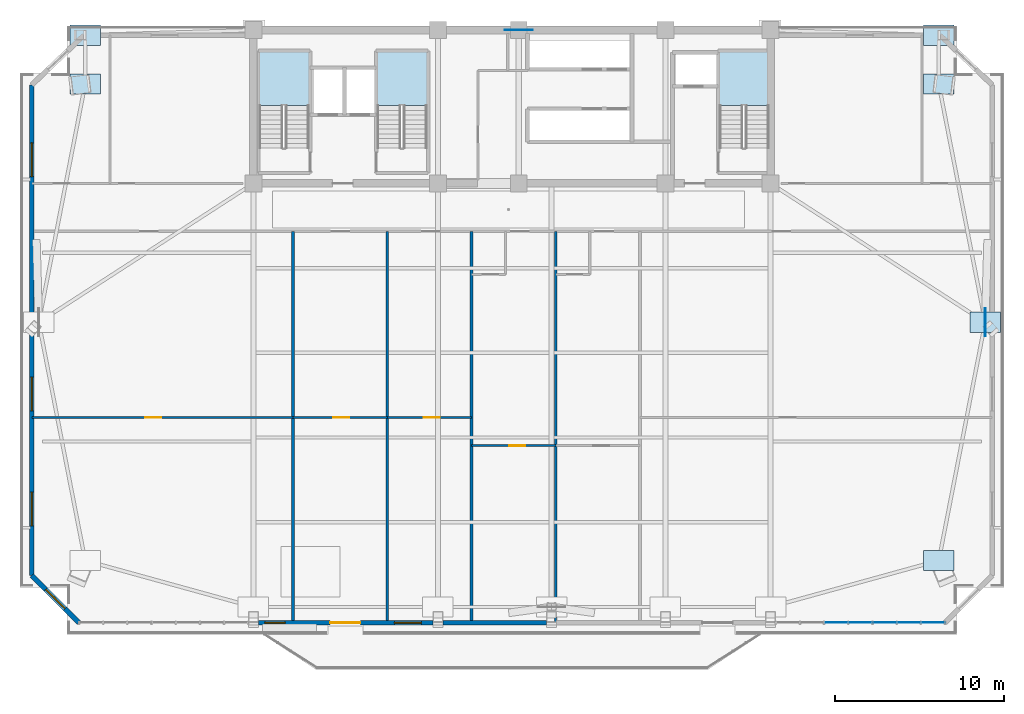
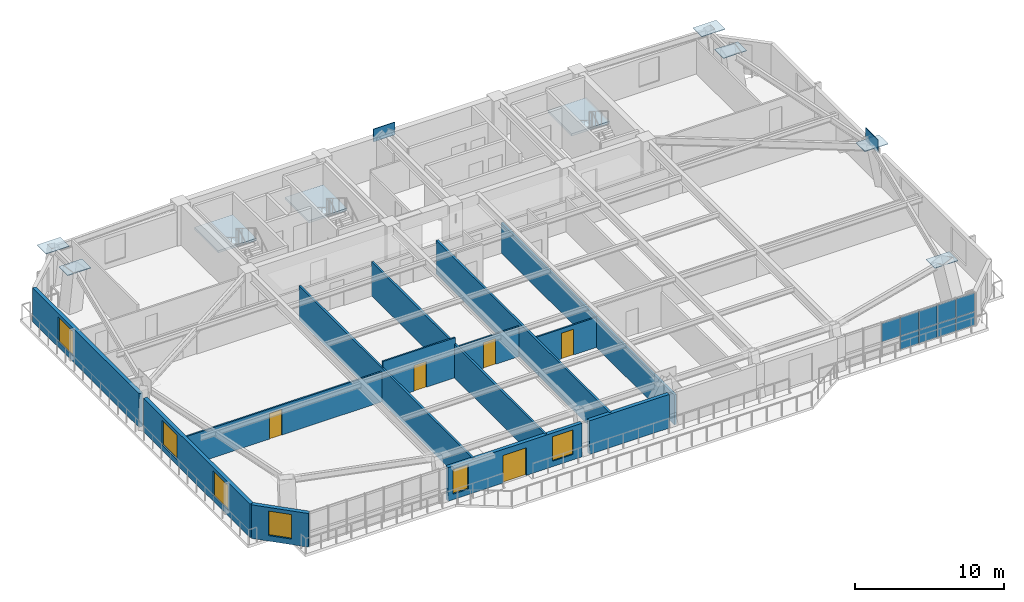
# One storey, part 7 of 16: 17 plates, 13 walls, 6 windows, 5 doors, 3 slabs, 11 openings, 4 elements without a shape of their own.
"""IFC4 building model written with IfcOpenShell, lengths in metres."""

from ifc_helpers import new_model, si_unit, direction, frame, frame_2d, origin, origin_2d, place, context, subcontext, project, spatial, polyline, rectangle, outline, extrude, source, transform, mapped, material, layer, layer_set, type_object, element, fill, aggregate, save


model = new_model("IFC4")

# Units and contexts
model_context = context("Model", 3, precision=1e-05, world=origin(), true_north=direction((0.0, 1.0)))
body_context = subcontext(model_context, "Body", "Model", "MODEL_VIEW")
ifc_project = project(units=[si_unit("LENGTHUNIT", "METRE"), si_unit("AREAUNIT", "SQUARE_METRE"), si_unit("VOLUMEUNIT", "CUBIC_METRE"), si_unit("PLANEANGLEUNIT", "RADIAN"), si_unit("MASSUNIT", "GRAM", prefix="KILO")], contexts=[model_context])

# Site, building, storey
site_placement = place(None, origin())
site = spatial("IfcSite", under=ifc_project, at=site_placement, CompositionType="ELEMENT")
building_placement = place(site_placement, origin())
building = spatial("IfcBuilding", under=site, at=building_placement, Name="Giltprow Tower", CompositionType="ELEMENT")
storey_placement = place(building_placement, frame((0.0, 0.0, 209.699951171875)))
storey = spatial("IfcBuildingStorey", under=building, at=storey_placement, Name="L53", CompositionType="ELEMENT", Elevation=209.699951171875)

# Stair, slab
ifc_material_1 = material(Name="Concrete C40", Category="concrete")
stair_type_1 = type_object("IfcStairType", Name="STR-ST-1", PredefinedType="HALF_TURN_STAIR", material=ifc_material_1)
stair_1_placement = place(storey_placement, origin())
stair_1 = element("IfcStair", 1, at=stair_1_placement, inside=storey, type_object=stair_type_1, Name="L53 Core Exit Stair ST-1", PredefinedType="HALF_TURN_STAIR")
ifc_layer_1 = layer(ifc_material_1, 0.179931640625, Name="Concrete C40")
ifc_layer_set_1 = layer_set([ifc_layer_1], Name="Concrete C40")
slab_type_1 = type_object("IfcSlabType", Name="SLD-ST-1", PredefinedType="LANDING", material=ifc_layer_set_1)
slab_1_placement = place(storey_placement, frame((0.0, 0.0, 1.570068359375)))
slab_1 = element("IfcSlab", 2, at=slab_1_placement, type_object=slab_type_1, Name="ST-1 landing 1", PredefinedType="LANDING", context=body_context, shape_type="SweptSolid", body=[
    extrude(outline(polyline([(23.159912109375, 42.070068359375), (23.159912109375, 45.25), (20.199951171875, 45.25), (20.199951171875, 42.070068359375), (23.159912109375, 42.070068359375)])), origin(), (0.0, 0.0, 1.0), 0.179931640625),
])
aggregate(stair_1, [slab_1])

stair_type_2 = type_object("IfcStairType", Name="STR-ST-2", PredefinedType="HALF_TURN_STAIR", material=ifc_material_1)
stair_2_placement = place(storey_placement, origin())
stair_2 = element("IfcStair", 3, at=stair_2_placement, inside=storey, type_object=stair_type_2, Name="L53 Core Exit Stair ST-2", PredefinedType="HALF_TURN_STAIR")
ifc_layer_2 = layer(ifc_material_1, 0.18798828125, Name="Concrete C40")
ifc_layer_set_2 = layer_set([ifc_layer_2], Name="Concrete C40")
slab_type_2 = type_object("IfcSlabType", Name="SLD-ST-2", PredefinedType="LANDING", material=ifc_layer_set_2)
slab_2_placement = place(storey_placement, frame((0.0, 0.0, 1.56201171875)))
slab_2 = element("IfcSlab", 4, at=slab_2_placement, type_object=slab_type_2, Name="ST-2 landing 1", PredefinedType="LANDING", context=body_context, shape_type="SweptSolid", body=[
    extrude(outline(polyline([(30.159912109375, 42.070068359375), (30.159912109375, 45.25), (27.199951171875, 45.25), (27.199951171875, 42.070068359375), (30.159912109375, 42.070068359375)])), origin(), (0.0, 0.0, 1.0), 0.18798828125),
])
aggregate(stair_2, [slab_2])

stair_type_3 = type_object("IfcStairType", Name="STR-ST-3", PredefinedType="HALF_TURN_STAIR", material=ifc_material_1)
stair_3_placement = place(storey_placement, origin())
stair_3 = element("IfcStair", 5, at=stair_3_placement, inside=storey, type_object=stair_type_3, Name="L53 Core Exit Stair ST-3", PredefinedType="HALF_TURN_STAIR")
ifc_layer_3 = layer(ifc_material_1, 0.196044921875, Name="Concrete C40")
ifc_layer_set_3 = layer_set([ifc_layer_3], Name="Concrete C40")
slab_type_3 = type_object("IfcSlabType", Name="SLD-ST-3", PredefinedType="LANDING", material=ifc_layer_set_3)
slab_3_placement = place(storey_placement, frame((0.0, 0.0, 1.553955078125)))
slab_3 = element("IfcSlab", 6, at=slab_3_placement, type_object=slab_type_3, Name="ST-3 landing 1", PredefinedType="LANDING", context=body_context, shape_type="SweptSolid", body=[
    extrude(outline(polyline([(50.4599609375, 42.070068359375), (50.4599609375, 45.25), (47.5, 45.25), (47.5, 42.070068359375), (50.4599609375, 42.070068359375)])), origin(), (0.0, 0.0, 1.0), 0.196044921875),
])
aggregate(stair_3, [slab_3])

# Plates
ifc_material_2 = material(Name="Structural steel Q420GJC", Category="steel")
plate_type_1 = type_object("IfcPlateType", Name="PLT-NODE-CKN1", PredefinedType="USERDEFINED", material=ifc_material_2)
shared_shape_1 = source(origin(), body_context, "Body", "SweptSolid", [
    extrude(rectangle(XDim=1.800048828125, YDim=1.199951171875, at=origin_2d()), origin(), (0.0, 0.0, 1.0), 0.044921875),
])
for number, where, z_axis, x_axis, name in (
    (7, (60.528076171875, 15.072021484375, 3.2275390625), (0.0, 0.0, 1.0), (1.0, 0.0, 0.0), "CKN1 Column Taper Splice Node L53-MC_SE"),
    (8, (9.8720703125, 43.345947265625, 3.2275390625), (0.0, 0.0, 1.0), (1.0, 0.0, 0.0), "CKN1 Column Taper Splice Node L53-MC_NW"),
    (9, (60.528076171875, 43.345947265625, 3.2275390625), (0.0, 0.0, 1.0), (1.0, 0.0, 0.0), "CKN1 Column Taper Splice Node L53-MC_NE"),
    (10, (63.281982421875, 29.208984375, 3.2275390625), (0.0, 0.0, 1.0), (1.0, 0.0, 0.0), "CKN1 Column Taper Splice Node L53-E_MID"),
    (11, (9.8720703125, 46.25, 3.2275390625), (0.0, 0.0, 1.0), (1.0, 0.0, 0.0), "CKN1 Column Taper Splice Node L53-N_W"),
    (12, (60.528076171875, 46.25, 3.2275390625), (0.0, 0.0, 1.0), (1.0, 0.0, 0.0), "CKN1 Column Taper Splice Node L53-N_E"),
):
    element("IfcPlate", number, at=place(storey_placement, frame(where, z_axis=z_axis, x_axis=x_axis)), inside=storey, type_object=plate_type_1, Name=name, ObjectType="SPLICE", PredefinedType="USERDEFINED", context=body_context, shape_type="MappedRepresentation", body=[
        mapped(shared_shape_1, transform((0.0, 0.0, 0.0), x_axis=(1.0, 0.0, 0.0), y_axis=(0.0, 1.0, 0.0), z_axis=(0.0, 0.0, 1.0), scale=1.0)),
    ])
plate_type_2 = type_object("IfcPlateType", Name="PLT-NODE-MBN2", PredefinedType="USERDEFINED", material=ifc_material_2)
shared_shape_2 = source(origin(), body_context, "Body", "SweptSolid", [
    extrude(rectangle(XDim=1.64990234375, YDim=0.044921875, at=origin_2d()), origin(), (0.0, 0.0, 1.0), 1.050048828125),
])
for number, where, z_axis, x_axis, name in (
    (13, (35.60009765625, 46.550048828125, 2.8349609375), (0.0, 0.0, 1.0), (1.0, 0.0, 0.0), "Mega-Brace Node L53-N-LB"),
    (14, (63.281982421875, 29.208984375, 2.97509765625), (0.0, 0.0, 1.0), (0.0, 1.0, 0.0), "Mega-Brace Node L53-E-RB"),
):
    element("IfcPlate", number, at=place(storey_placement, frame(where, z_axis=z_axis, x_axis=x_axis)), inside=storey, type_object=plate_type_2, Name=name, ObjectType="GUSSET", PredefinedType="USERDEFINED", context=body_context, shape_type="MappedRepresentation", body=[
        mapped(shared_shape_2, transform((0.0, 0.0, 0.0), x_axis=(1.0, 0.0, 0.0), y_axis=(0.0, 1.0, 0.0), z_axis=(0.0, 0.0, 1.0), scale=1.0)),
    ])

# Curtain wall, plates
ifc_material_3 = material(Name="Anodized bronze", Category="metal")
ifc_layer_4 = layer(ifc_material_3, 0.179931640625, Name="Anodized bronze")
ifc_layer_set_4 = layer_set([ifc_layer_4], Name="Anodized bronze")
curtain_wall_type = type_object("IfcCurtainWallType", Name="CW-HTL-BRONZE", PredefinedType="NOTDEFINED", material=ifc_layer_set_4)
curtain_wall_placement = place(storey_placement, origin())
curtain_wall = element("IfcCurtainWall", 15, at=curtain_wall_placement, inside=storey, type_object=curtain_wall_type, Name="L53 South Recessed Curtain Wall 6", PredefinedType="NOTDEFINED")
ifc_material_4 = material(Name="Insulated glass", Category="glass")
plate_type_3 = type_object("IfcPlateType", Name="CW-PANEL-IGU-28", PredefinedType="CURTAIN_PANEL", material=ifc_material_4)
shared_shape_3 = source(origin(), body_context, "Body", "SweptSolid", [
    extrude(rectangle(XDim=1.405029296875, YDim=0.028076171875, at=origin_2d()), origin(), (0.0, 0.0, 1.0), 1.0869140625),
])
plate_1_placement = place(storey_placement, frame((55.8740234375, 11.385986328125, 0.0546875), z_axis=(0.0, 0.0, 1.0), x_axis=(1.0, 0.0, 0.0)))
plate_1 = element("IfcPlate", 16, at=plate_1_placement, type_object=plate_type_3, Name="L53 South Recessed Curtain Wall 6 Glazing Panel 4-1", PredefinedType="CURTAIN_PANEL", context=body_context, shape_type="MappedRepresentation", body=[
    mapped(shared_shape_3, transform((0.0, 0.0, 0.0), x_axis=(1.0, 0.0, 0.0), y_axis=(0.0, 1.0, 0.0), z_axis=(0.0, 0.0, 1.0), scale=1.0)),
])
plate_2_placement = place(storey_placement, frame((57.30908203125, 11.385986328125, 0.0546875), z_axis=(0.0, 0.0, 1.0), x_axis=(1.0, 0.0, 0.0)))
plate_2 = element("IfcPlate", 17, at=plate_2_placement, type_object=plate_type_3, Name="L53 South Recessed Curtain Wall 6 Glazing Panel 5-1", PredefinedType="CURTAIN_PANEL", context=body_context, shape_type="MappedRepresentation", body=[
    mapped(shared_shape_3, transform((0.0, 0.0, 0.0), x_axis=(1.0, 0.0, 0.0), y_axis=(0.0, 1.0, 0.0), z_axis=(0.0, 0.0, 1.0), scale=1.0)),
])
plate_3_placement = place(storey_placement, frame((58.7451171875, 11.385986328125, 0.0546875), z_axis=(0.0, 0.0, 1.0), x_axis=(1.0, 0.0, 0.0)))
plate_3 = element("IfcPlate", 18, at=plate_3_placement, type_object=plate_type_3, Name="L53 South Recessed Curtain Wall 6 Glazing Panel 6-1", PredefinedType="CURTAIN_PANEL", context=body_context, shape_type="MappedRepresentation", body=[
    mapped(shared_shape_3, transform((0.0, 0.0, 0.0), x_axis=(1.0, 0.0, 0.0), y_axis=(0.0, 1.0, 0.0), z_axis=(0.0, 0.0, 1.0), scale=1.0)),
])
plate_4_placement = place(storey_placement, frame((60.179931640625, 11.385986328125, 0.0546875), z_axis=(0.0, 0.0, 1.0), x_axis=(1.0, 0.0, 0.0)))
plate_4 = element("IfcPlate", 19, at=plate_4_placement, type_object=plate_type_3, Name="L53 South Recessed Curtain Wall 6 Glazing Panel 7-1", PredefinedType="CURTAIN_PANEL", context=body_context, shape_type="MappedRepresentation", body=[
    mapped(shared_shape_3, transform((0.0, 0.0, 0.0), x_axis=(1.0, 0.0, 0.0), y_axis=(0.0, 1.0, 0.0), z_axis=(0.0, 0.0, 1.0), scale=1.0)),
])
shared_shape_4 = source(origin(), body_context, "Body", "SweptSolid", [
    extrude(rectangle(XDim=1.405029296875, YDim=0.028076171875, at=origin_2d()), origin(), (0.0, 0.0, 1.0), 1.527099609375),
])
plate_5_placement = place(storey_placement, frame((54.43896484375, 11.385986328125, 1.16845703125), z_axis=(0.0, 0.0, 1.0), x_axis=(1.0, 0.0, 0.0)))
plate_5 = element("IfcPlate", 20, at=plate_5_placement, type_object=plate_type_3, Name="L53 South Recessed Curtain Wall 6 Glazing Panel 3-2", PredefinedType="CURTAIN_PANEL", context=body_context, shape_type="MappedRepresentation", body=[
    mapped(shared_shape_4, transform((0.0, 0.0, 0.0), x_axis=(1.0, 0.0, 0.0), y_axis=(0.0, 1.0, 0.0), z_axis=(0.0, 0.0, 1.0), scale=1.0)),
])
plate_6_placement = place(storey_placement, frame((55.8740234375, 11.385986328125, 1.16845703125), z_axis=(0.0, 0.0, 1.0), x_axis=(1.0, 0.0, 0.0)))
plate_6 = element("IfcPlate", 21, at=plate_6_placement, type_object=plate_type_3, Name="L53 South Recessed Curtain Wall 6 Glazing Panel 4-2", PredefinedType="CURTAIN_PANEL", context=body_context, shape_type="MappedRepresentation", body=[
    mapped(shared_shape_4, transform((0.0, 0.0, 0.0), x_axis=(1.0, 0.0, 0.0), y_axis=(0.0, 1.0, 0.0), z_axis=(0.0, 0.0, 1.0), scale=1.0)),
])
plate_7_placement = place(storey_placement, frame((57.30908203125, 11.385986328125, 1.16845703125), z_axis=(0.0, 0.0, 1.0), x_axis=(1.0, 0.0, 0.0)))
plate_7 = element("IfcPlate", 22, at=plate_7_placement, type_object=plate_type_3, Name="L53 South Recessed Curtain Wall 6 Glazing Panel 5-2", PredefinedType="CURTAIN_PANEL", context=body_context, shape_type="MappedRepresentation", body=[
    mapped(shared_shape_4, transform((0.0, 0.0, 0.0), x_axis=(1.0, 0.0, 0.0), y_axis=(0.0, 1.0, 0.0), z_axis=(0.0, 0.0, 1.0), scale=1.0)),
])
plate_8_placement = place(storey_placement, frame((58.7451171875, 11.385986328125, 1.16845703125), z_axis=(0.0, 0.0, 1.0), x_axis=(1.0, 0.0, 0.0)))
plate_8 = element("IfcPlate", 23, at=plate_8_placement, type_object=plate_type_3, Name="L53 South Recessed Curtain Wall 6 Glazing Panel 6-2", PredefinedType="CURTAIN_PANEL", context=body_context, shape_type="MappedRepresentation", body=[
    mapped(shared_shape_4, transform((0.0, 0.0, 0.0), x_axis=(1.0, 0.0, 0.0), y_axis=(0.0, 1.0, 0.0), z_axis=(0.0, 0.0, 1.0), scale=1.0)),
])
plate_9_placement = place(storey_placement, frame((60.179931640625, 11.385986328125, 1.16845703125), z_axis=(0.0, 0.0, 1.0), x_axis=(1.0, 0.0, 0.0)))
plate_9 = element("IfcPlate", 24, at=plate_9_placement, type_object=plate_type_3, Name="L53 South Recessed Curtain Wall 6 Glazing Panel 7-2", PredefinedType="CURTAIN_PANEL", context=body_context, shape_type="MappedRepresentation", body=[
    mapped(shared_shape_4, transform((0.0, 0.0, 0.0), x_axis=(1.0, 0.0, 0.0), y_axis=(0.0, 1.0, 0.0), z_axis=(0.0, 0.0, 1.0), scale=1.0)),
])
aggregate(curtain_wall, [plate_5, plate_1, plate_6, plate_2, plate_7, plate_3, plate_8, plate_4, plate_9])

# Wall, opening, window
ifc_material_5 = material(Name="Precast concrete C40", Category="concrete")
ifc_layer_5 = layer(ifc_material_5, 0.300048828125, Name="Precast concrete C40")
ifc_layer_set_5 = layer_set([ifc_layer_5], Name="Precast concrete C40")
wall_type_1 = type_object("IfcWallType", Name="EW-NOTCH-CHAMFER-300", PredefinedType="SOLIDWALL", material=ifc_layer_set_5)
wall_1_placement = place(storey_placement, frame((6.702880859375, 14.18603515625, 0.0), z_axis=(0.0, 0.0, 1.0), x_axis=(0.707106781187, -0.707106781187, 0.0)))
wall_1 = element("IfcWall", 25, at=wall_1_placement, inside=storey, type_object=wall_type_1, Name="L53 Corner Notch Wall SW", PredefinedType="SOLIDWALL", context=body_context, shape_type="SweptSolid", body=[
    extrude(rectangle(XDim=3.9599609375, YDim=0.300048828125, at=frame_2d((1.97998046875, 0.0))), origin(), (0.0, 0.0, 1.0), 2.75),
])
opening_1_placement = place(wall_1_placement, frame((1.179931640625, 0.0, 0.449951171875)))
opening_1 = element("IfcOpeningElement", 26, at=opening_1_placement, cuts=wall_1, Name="Opening WN17", PredefinedType="OPENING", context=body_context, shape_type="SweptSolid", body=[
    extrude(rectangle(XDim=1.60009765625, YDim=2.0, at=frame_2d((0.800048828125, 1.0))), frame((0.0, 0.159912109375, 0.0), z_axis=(0.0, -1.0, 0.0), x_axis=(1.0, 0.0, 0.0)), (0.0, 0.0, 1.0), 0.320068359375),
])
window_type_1 = type_object("IfcWindowType", Name="WN-COR-1600x2000", PartitioningType="SINGLE_PANEL", PredefinedType="WINDOW", material=ifc_material_4)
shared_shape_5 = source(origin(), body_context, "Body", "SweptSolid", [
    extrude(rectangle(XDim=1.60009765625, YDim=2.0, at=frame_2d((0.800048828125, 1.0))), frame((0.0, 0.030029296875, 0.0), z_axis=(0.0, -1.0, 0.0), x_axis=(1.0, 0.0, 0.0)), (0.0, 0.0, 1.0), 0.06005859375),
])
window_1_placement = place(opening_1_placement, origin())
window_1 = element("IfcWindow", 27, at=window_1_placement, inside=storey, type_object=window_type_1, Name="L53 Corner Notch Window SW", OverallHeight=2.0, OverallWidth=1.60009765625, PartitioningType="SINGLE_PANEL", PredefinedType="WINDOW", context=body_context, shape_type="MappedRepresentation", body=[
    mapped(shared_shape_5, transform((0.0, 0.0, 0.0), x_axis=(1.0, 0.0, 0.0), y_axis=(0.0, 1.0, 0.0), z_axis=(0.0, 0.0, 1.0), scale=1.0)),
])
fill(opening_1, window_1)

# Wall, openings, windows, door
ifc_layer_6 = layer(ifc_material_5, 0.280029296875, Name="Precast concrete C40")
ifc_layer_set_6 = layer_set([ifc_layer_6], Name="Precast concrete C40")
wall_type_2 = type_object("IfcWallType", Name="EW-TOW-BRONZE-280", PredefinedType="SOLIDWALL", material=ifc_layer_set_6)
wall_2_placement = place(storey_placement, frame((20.14990234375, 11.385986328125, 0.0), z_axis=(0.0, 0.0, 1.0), x_axis=(1.0, 0.0, 0.0)))
wall_2 = element("IfcWall", 28, at=wall_2_placement, inside=storey, type_object=wall_type_2, Name="L53 South Expressed Frame Wall 2", PredefinedType="SOLIDWALL", context=body_context, shape_type="SweptSolid", body=[
    extrude(rectangle(XDim=10.35009765625, YDim=0.280029296875, at=frame_2d((5.175048828125, 0.0))), origin(), (0.0, 0.0, 1.0), 2.75),
])
opening_2_placement = place(wall_2_placement, frame((4.25, 0.0, 0.0)))
opening_2 = element("IfcOpeningElement", 29, at=opening_2_placement, cuts=wall_2, Name="Opening ED25", PredefinedType="OPENING", context=body_context, shape_type="SweptSolid", body=[
    extrude(rectangle(XDim=1.800048828125, YDim=2.25, at=frame_2d((0.89990234375, 1.125))), frame((0.0, 0.14990234375, 0.0), z_axis=(0.0, -1.0, 0.0), x_axis=(1.0, 0.0, 0.0)), (0.0, 0.0, 1.0), 0.300048828125),
])
opening_3_placement = place(wall_2_placement, frame((0.3798828125, 0.0, 0.449951171875)))
opening_3 = element("IfcOpeningElement", 30, at=opening_3_placement, cuts=wall_2, Name="Opening WN11", PredefinedType="OPENING", context=body_context, shape_type="SweptSolid", body=[
    extrude(rectangle(XDim=1.199951171875, YDim=2.0, at=frame_2d((0.60009765625, 1.0))), frame((0.0, 0.14990234375, 0.0), z_axis=(0.0, -1.0, 0.0), x_axis=(1.0, 0.0, 0.0)), (0.0, 0.0, 1.0), 0.300048828125),
])
opening_4_placement = place(wall_2_placement, frame((8.070068359375, 0.0, 0.449951171875)))
opening_4 = element("IfcOpeningElement", 31, at=opening_4_placement, cuts=wall_2, Name="Opening WN17", PredefinedType="OPENING", context=body_context, shape_type="SweptSolid", body=[
    extrude(rectangle(XDim=1.60009765625, YDim=2.0, at=frame_2d((0.800048828125, 1.0))), frame((0.0, 0.14990234375, 0.0), z_axis=(0.0, -1.0, 0.0), x_axis=(1.0, 0.0, 0.0)), (0.0, 0.0, 1.0), 0.300048828125),
])
window_2_placement = place(opening_4_placement, origin())
window_2 = element("IfcWindow", 32, at=window_2_placement, inside=storey, type_object=window_type_1, Name="L53 South Window 2B", OverallHeight=2.0, OverallWidth=1.60009765625, PartitioningType="SINGLE_PANEL", PredefinedType="WINDOW", context=body_context, shape_type="MappedRepresentation", body=[
    mapped(shared_shape_5, transform((0.0, 0.0, 0.0), x_axis=(1.0, 0.0, 0.0), y_axis=(0.0, 1.0, 0.0), z_axis=(0.0, 0.0, 1.0), scale=1.0)),
])
fill(opening_4, window_2)
ifc_material_6 = material(Name="Anodized bronze and glass", Category="glass")
door_type_1 = type_object("IfcDoorType", Name="DR-BALC-SLIDE-1800", OperationType="SLIDING_TO_LEFT", PredefinedType="DOOR", material=ifc_material_6)
shared_shape_6 = source(origin(), body_context, "Body", "SweptSolid", [
    extrude(rectangle(XDim=1.800048828125, YDim=2.25, at=frame_2d((0.89990234375, 1.125))), frame((0.0, 0.02490234375, 0.0), z_axis=(0.0, -1.0, 0.0), x_axis=(1.0, 0.0, 0.0)), (0.0, 0.0, 1.0), 0.050048828125),
])
door_1_placement = place(opening_2_placement, origin())
door_1 = element("IfcDoor", 33, at=door_1_placement, inside=storey, type_object=door_type_1, Name="L53 Waterfront Balcony Sliding Door 1", OperationType="SLIDING_TO_LEFT", OverallHeight=2.25, OverallWidth=1.800048828125, PredefinedType="DOOR", context=body_context, shape_type="MappedRepresentation", body=[
    mapped(shared_shape_6, transform((0.0, 0.0, 0.0), x_axis=(1.0, 0.0, 0.0), y_axis=(0.0, 1.0, 0.0), z_axis=(0.0, 0.0, 1.0), scale=1.0)),
])
fill(opening_2, door_1)
window_type_2 = type_object("IfcWindowType", Name="WN-LANCET-1200x2000", PartitioningType="SINGLE_PANEL", PredefinedType="WINDOW", material=ifc_material_4)
shared_shape_7 = source(origin(), body_context, "Body", "SweptSolid", [
    extrude(rectangle(XDim=1.199951171875, YDim=2.0, at=frame_2d((0.60009765625, 1.0))), frame((0.0, 0.030029296875, 0.0), z_axis=(0.0, -1.0, 0.0), x_axis=(1.0, 0.0, 0.0)), (0.0, 0.0, 1.0), 0.06005859375),
])
window_3_placement = place(opening_3_placement, origin())
window_3 = element("IfcWindow", 34, at=window_3_placement, inside=storey, type_object=window_type_2, Name="L53 South Window 2A", OverallHeight=2.0, OverallWidth=1.199951171875, PartitioningType="SINGLE_PANEL", PredefinedType="WINDOW", context=body_context, shape_type="MappedRepresentation", body=[
    mapped(shared_shape_7, transform((0.0, 0.0, 0.0), x_axis=(1.0, 0.0, 0.0), y_axis=(0.0, 1.0, 0.0), z_axis=(0.0, 0.0, 1.0), scale=1.0)),
])
fill(opening_3, window_3)

# Wall
wall_3_placement = place(storey_placement, frame((31.10009765625, 11.385986328125, 0.0), z_axis=(0.0, 0.0, 1.0), x_axis=(1.0, 0.0, 0.0)))
element("IfcWall", 35, at=wall_3_placement, inside=storey, type_object=wall_type_2, Name="L53 South Expressed Frame Wall 3", PredefinedType="SOLIDWALL", context=body_context, shape_type="SweptSolid", body=[
    extrude(rectangle(XDim=6.14990234375, YDim=0.280029296875, at=frame_2d((3.074951171875, 0.0))), origin(), (0.0, 0.0, 1.0), 2.75),
])

# Wall, openings, windows
wall_4_placement = place(storey_placement, frame((6.702880859375, 14.18603515625, 0.0), z_axis=(0.0, 0.0, 1.0), x_axis=(0.0, 1.0, 0.0)))
wall_4 = element("IfcWall", 36, at=wall_4_placement, inside=storey, type_object=wall_type_2, Name="L53 W Wing Masonry Wall 1", PredefinedType="SOLIDWALL", context=body_context, shape_type="SweptSolid", body=[
    extrude(rectangle(XDim=14.257080078125, YDim=0.280029296875, at=frame_2d((7.12841796875, 0.0))), origin(), (0.0, 0.0, 1.0), 2.75),
])
opening_5_placement = place(wall_4_placement, frame((2.947021484375, 0.0, 0.449951171875)))
opening_5 = element("IfcOpeningElement", 37, at=opening_5_placement, cuts=wall_4, Name="Opening WN21", PredefinedType="OPENING", context=body_context, shape_type="SweptSolid", body=[
    extrude(rectangle(XDim=2.0, YDim=2.0, at=frame_2d((1.0, 1.0))), frame((0.0, 0.14990234375, 0.0), z_axis=(0.0, -1.0, 0.0), x_axis=(1.0, 0.0, 0.0)), (0.0, 0.0, 1.0), 0.300048828125),
])
opening_6_placement = place(wall_4_placement, frame((9.77294921875, 0.0, 0.449951171875)))
opening_6 = element("IfcOpeningElement", 38, at=opening_6_placement, cuts=wall_4, Name="Opening WN21", PredefinedType="OPENING", context=body_context, shape_type="SweptSolid", body=[
    extrude(rectangle(XDim=2.0, YDim=2.0, at=frame_2d((1.0, 1.0))), frame((0.0, 0.14990234375, 0.0), z_axis=(0.0, -1.0, 0.0), x_axis=(1.0, 0.0, 0.0)), (0.0, 0.0, 1.0), 0.300048828125),
])
window_type_3 = type_object("IfcWindowType", Name="WN-HTL-2000x2000", PartitioningType="DOUBLE_PANEL_VERTICAL", PredefinedType="WINDOW", material=ifc_material_4)
shared_shape_8 = source(origin(), body_context, "Body", "SweptSolid", [
    extrude(rectangle(XDim=2.0, YDim=2.0, at=frame_2d((1.0, 1.0))), frame((0.0, 0.030029296875, 0.0), z_axis=(0.0, -1.0, 0.0), x_axis=(1.0, 0.0, 0.0)), (0.0, 0.0, 1.0), 0.06005859375),
])
window_4_placement = place(opening_5_placement, origin())
window_4 = element("IfcWindow", 39, at=window_4_placement, inside=storey, type_object=window_type_3, Name="L53 W Wing Window 1-1A", OverallHeight=2.0, OverallWidth=2.0, PartitioningType="SINGLE_PANEL", PredefinedType="WINDOW", context=body_context, shape_type="MappedRepresentation", body=[
    mapped(shared_shape_8, transform((0.0, 0.0, 0.0), x_axis=(1.0, 0.0, 0.0), y_axis=(0.0, 1.0, 0.0), z_axis=(0.0, 0.0, 1.0), scale=1.0)),
])
fill(opening_5, window_4)
window_5_placement = place(opening_6_placement, origin())
window_5 = element("IfcWindow", 40, at=window_5_placement, inside=storey, type_object=window_type_3, Name="L53 W Wing Window 1-1B", OverallHeight=2.0, OverallWidth=2.0, PartitioningType="SINGLE_PANEL", PredefinedType="WINDOW", context=body_context, shape_type="MappedRepresentation", body=[
    mapped(shared_shape_8, transform((0.0, 0.0, 0.0), x_axis=(1.0, 0.0, 0.0), y_axis=(0.0, 1.0, 0.0), z_axis=(0.0, 0.0, 1.0), scale=1.0)),
])
fill(opening_6, window_5)

# Wall, opening, window
wall_5_placement = place(storey_placement, frame((6.702880859375, 29.04296875, 0.0), z_axis=(0.0, 0.0, 1.0), x_axis=(0.0, 1.0, 0.0)))
wall_5 = element("IfcWall", 41, at=wall_5_placement, inside=storey, type_object=wall_type_2, Name="L53 W Wing Masonry Wall 2", PredefinedType="SOLIDWALL", context=body_context, shape_type="SweptSolid", body=[
    extrude(rectangle(XDim=14.257080078125, YDim=0.280029296875, at=frame_2d((7.12841796875, 0.0))), origin(), (0.0, 0.0, 1.0), 2.75),
])
opening_7_placement = place(wall_5_placement, frame((8.81201171875, 0.0, 0.449951171875)))
opening_7 = element("IfcOpeningElement", 42, at=opening_7_placement, cuts=wall_5, Name="Opening WN21", PredefinedType="OPENING", context=body_context, shape_type="SweptSolid", body=[
    extrude(rectangle(XDim=2.0, YDim=2.0, at=frame_2d((1.0, 1.0))), frame((0.0, 0.14990234375, 0.0), z_axis=(0.0, -1.0, 0.0), x_axis=(1.0, 0.0, 0.0)), (0.0, 0.0, 1.0), 0.300048828125),
])
window_6_placement = place(opening_7_placement, origin())
window_6 = element("IfcWindow", 43, at=window_6_placement, inside=storey, type_object=window_type_3, Name="L53 W Wing Window 2-1", OverallHeight=2.0, OverallWidth=2.0, PartitioningType="SINGLE_PANEL", PredefinedType="WINDOW", context=body_context, shape_type="MappedRepresentation", body=[
    mapped(shared_shape_8, transform((0.0, 0.0, 0.0), x_axis=(1.0, 0.0, 0.0), y_axis=(0.0, 1.0, 0.0), z_axis=(0.0, 0.0, 1.0), scale=1.0)),
])
fill(opening_7, window_6)

# Walls
ifc_material_7 = material(Name="Gypsum stud partition", Category="gypsum")
ifc_layer_7 = layer(ifc_material_7, 0.159912109375, Name="Gypsum stud partition")
ifc_layer_set_7 = layer_set([ifc_layer_7], Name="Gypsum stud partition")
wall_type_3 = type_object("IfcWallType", Name="IW-DEMISE-160", PredefinedType="PARTITIONING", material=ifc_layer_set_7)
for number, where, z_axis, x_axis, name in (
    (44, (22.199951171875, 11.385986328125, 0.0), (0.0, 0.0, 1.0), (0.0, 1.0, 0.0), "L53 Hotel Demising Wall 1"),
    (45, (27.800048828125, 11.385986328125, 0.0), (0.0, 0.0, 1.0), (0.0, 1.0, 0.0), "L53 Hotel Demising Wall 2"),
    (46, (32.800048828125, 11.385986328125, 0.0), (0.0, 0.0, 1.0), (0.0, 1.0, 0.0), "L53 Hotel Demising Wall 3"),
):
    element("IfcWall", number, at=place(storey_placement, frame(where, z_axis=z_axis, x_axis=x_axis)), inside=storey, type_object=wall_type_3, Name=name, PredefinedType="PARTITIONING", context=body_context, shape_type="SweptSolid", body=[
        extrude(rectangle(XDim=23.214111328125, YDim=0.159912109375, at=frame_2d((11.60693359375, 0.0))), origin(), (0.0, 0.0, 1.0), 2.755126953125),
    ])
wall_6_placement = place(storey_placement, frame((37.800048828125, 11.385986328125, 0.0), z_axis=(0.0, 0.0, 1.0), x_axis=(0.0, 1.0, 0.0)))
element("IfcWall", 47, at=wall_6_placement, inside=storey, type_object=wall_type_3, Name="L53 Hotel Demising Wall 4", PredefinedType="PARTITIONING", context=body_context, shape_type="SweptSolid", body=[
    extrude(rectangle(XDim=23.214111328125, YDim=0.159912109375, at=frame_2d((11.60693359375, 0.0))), origin(), (0.0, 0.0, 1.0), 2.455078125),
])

# Wall, opening, door
ifc_layer_8 = layer(ifc_material_7, 0.1201171875, Name="Gypsum stud partition")
ifc_layer_set_8 = layer_set([ifc_layer_8], Name="Gypsum stud partition")
wall_type_4 = type_object("IfcWallType", Name="IW-ROOM-120", PredefinedType="PARTITIONING", material=ifc_layer_set_8)
wall_7_placement = place(storey_placement, frame((6.702880859375, 23.55908203125, 0.0), z_axis=(0.0, 0.0, 1.0), x_axis=(1.0, 0.0, 0.0)))
wall_7 = element("IfcWall", 48, at=wall_7_placement, inside=storey, type_object=wall_type_4, Name="L53 Amenity Mid Wall 1", PredefinedType="PARTITIONING", context=body_context, shape_type="SweptSolid", body=[
    extrude(rectangle(XDim=15.4970703125, YDim=0.1201171875, at=frame_2d((7.74853515625, 0.0))), origin(), (0.0, 0.0, 1.0), 2.455078125),
])
opening_8_placement = place(wall_7_placement, frame((6.73388671875, 0.0, 0.0)))
opening_8 = element("IfcOpeningElement", 49, at=opening_8_placement, cuts=wall_7, Name="Opening ID11", PredefinedType="OPENING", context=body_context, shape_type="SweptSolid", body=[
    extrude(rectangle(XDim=0.949951171875, YDim=2.10009765625, at=frame_2d((0.47509765625, 1.050048828125))), frame((0.0, 0.070068359375, 0.0), z_axis=(0.0, -1.0, 0.0), x_axis=(1.0, 0.0, 0.0)), (0.0, 0.0, 1.0), 0.14013671875),
])
ifc_material_8 = material(Name="Engineered timber", Category="wood")
door_type_2 = type_object("IfcDoorType", Name="DR-ROOM-950", OperationType="SINGLE_SWING_RIGHT", PredefinedType="DOOR", material=ifc_material_8)
shared_shape_9 = source(origin(), body_context, "Body", "SweptSolid", [
    extrude(rectangle(XDim=0.949951171875, YDim=2.10009765625, at=frame_2d((0.47509765625, 1.050048828125))), frame((0.0, 0.02490234375, 0.0), z_axis=(0.0, -1.0, 0.0), x_axis=(1.0, 0.0, 0.0)), (0.0, 0.0, 1.0), 0.050048828125),
])
door_2_placement = place(opening_8_placement, origin())
door_2 = element("IfcDoor", 50, at=door_2_placement, inside=storey, type_object=door_type_2, Name="L53 VIP Arrival Reception 1 Inner Door", OperationType="SINGLE_SWING_RIGHT", OverallHeight=2.10009765625, OverallWidth=0.949951171875, PredefinedType="DOOR", context=body_context, shape_type="MappedRepresentation", body=[
    mapped(shared_shape_9, transform((0.0, 0.0, 0.0), x_axis=(1.0, 0.0, 0.0), y_axis=(0.0, 1.0, 0.0), z_axis=(0.0, 0.0, 1.0), scale=1.0)),
])
fill(opening_8, door_2)

wall_8_placement = place(storey_placement, frame((22.199951171875, 23.55908203125, 0.0), z_axis=(0.0, 0.0, 1.0), x_axis=(1.0, 0.0, 0.0)))
wall_8 = element("IfcWall", 51, at=wall_8_placement, inside=storey, type_object=wall_type_4, Name="L53 Amenity Mid Wall 2", PredefinedType="PARTITIONING", context=body_context, shape_type="SweptSolid", body=[
    extrude(rectangle(XDim=5.60009765625, YDim=0.1201171875, at=frame_2d((2.800048828125, 0.0))), origin(), (0.0, 0.0, 1.0), 3.27001953125),
])
opening_9_placement = place(wall_8_placement, frame((2.406005859375, 0.0, 0.0)))
opening_9 = element("IfcOpeningElement", 52, at=opening_9_placement, cuts=wall_8, Name="Opening ID11", PredefinedType="OPENING", context=body_context, shape_type="SweptSolid", body=[
    extrude(rectangle(XDim=0.949951171875, YDim=2.10009765625, at=frame_2d((0.47509765625, 1.050048828125))), frame((0.0, 0.070068359375, 0.0), z_axis=(0.0, -1.0, 0.0), x_axis=(1.0, 0.0, 0.0)), (0.0, 0.0, 1.0), 0.14013671875),
])
door_3_placement = place(opening_9_placement, origin())
door_3 = element("IfcDoor", 53, at=door_3_placement, inside=storey, type_object=door_type_2, Name="L53 Bridal Suite Reception 2 Inner Door", OperationType="SINGLE_SWING_RIGHT", OverallHeight=2.10009765625, OverallWidth=0.949951171875, PredefinedType="DOOR", context=body_context, shape_type="MappedRepresentation", body=[
    mapped(shared_shape_9, transform((0.0, 0.0, 0.0), x_axis=(1.0, 0.0, 0.0), y_axis=(0.0, 1.0, 0.0), z_axis=(0.0, 0.0, 1.0), scale=1.0)),
])
fill(opening_9, door_3)

wall_9_placement = place(storey_placement, frame((27.800048828125, 23.55908203125, 0.0), z_axis=(0.0, 0.0, 1.0), x_axis=(1.0, 0.0, 0.0)))
wall_9 = element("IfcWall", 54, at=wall_9_placement, inside=storey, type_object=wall_type_4, Name="L53 Amenity Mid Wall 3", PredefinedType="PARTITIONING", context=body_context, shape_type="SweptSolid", body=[
    extrude(rectangle(XDim=5.0, YDim=0.1201171875, at=frame_2d((2.5, 0.0))), origin(), (0.0, 0.0, 1.0), 2.455078125),
])
opening_10_placement = place(wall_9_placement, frame((2.166015625, 0.0, 0.0)))
opening_10 = element("IfcOpeningElement", 55, at=opening_10_placement, cuts=wall_9, Name="Opening ID11", PredefinedType="OPENING", context=body_context, shape_type="SweptSolid", body=[
    extrude(rectangle(XDim=0.949951171875, YDim=2.10009765625, at=frame_2d((0.47509765625, 1.050048828125))), frame((0.0, 0.070068359375, 0.0), z_axis=(0.0, -1.0, 0.0), x_axis=(1.0, 0.0, 0.0)), (0.0, 0.0, 1.0), 0.14013671875),
])
door_4_placement = place(opening_10_placement, origin())
door_4 = element("IfcDoor", 56, at=door_4_placement, inside=storey, type_object=door_type_2, Name="L53 Jewellery Gallery Shop Inner Door", OperationType="SINGLE_SWING_RIGHT", OverallHeight=2.10009765625, OverallWidth=0.949951171875, PredefinedType="DOOR", context=body_context, shape_type="MappedRepresentation", body=[
    mapped(shared_shape_9, transform((0.0, 0.0, 0.0), x_axis=(1.0, 0.0, 0.0), y_axis=(0.0, 1.0, 0.0), z_axis=(0.0, 0.0, 1.0), scale=1.0)),
])
fill(opening_10, door_4)

wall_10_placement = place(storey_placement, frame((32.800048828125, 21.89306640625, 0.0), z_axis=(0.0, 0.0, 1.0), x_axis=(1.0, 0.0, 0.0)))
wall_10 = element("IfcWall", 57, at=wall_10_placement, inside=storey, type_object=wall_type_4, Name="L53 Suite Parlour Divider 4", PredefinedType="PARTITIONING", context=body_context, shape_type="SweptSolid", body=[
    extrude(rectangle(XDim=5.0, YDim=0.1201171875, at=frame_2d((2.5, 0.0))), origin(), (0.0, 0.0, 1.0), 2.455078125),
])
opening_11_placement = place(wall_10_placement, frame((2.22509765625, 0.0, 0.0)))
opening_11 = element("IfcOpeningElement", 58, at=opening_11_placement, cuts=wall_10, Name="Opening ID11", PredefinedType="OPENING", context=body_context, shape_type="SweptSolid", body=[
    extrude(rectangle(XDim=0.949951171875, YDim=2.10009765625, at=frame_2d((0.47509765625, 1.050048828125))), frame((0.0, 0.070068359375, 0.0), z_axis=(0.0, -1.0, 0.0), x_axis=(1.0, 0.0, 0.0)), (0.0, 0.0, 1.0), 0.14013671875),
])
door_5_placement = place(opening_11_placement, origin())
door_5 = element("IfcDoor", 59, at=door_5_placement, inside=storey, type_object=door_type_2, Name="L53 Harbour Parlour 4 Door", OperationType="SINGLE_SWING_LEFT", OverallHeight=2.10009765625, OverallWidth=0.949951171875, PredefinedType="DOOR", context=body_context, shape_type="MappedRepresentation", body=[
    mapped(shared_shape_9, transform((0.0, 0.0, 0.0), x_axis=(1.0, 0.0, 0.0), y_axis=(0.0, 1.0, 0.0), z_axis=(0.0, 0.0, 1.0), scale=1.0)),
])
fill(opening_11, door_5)

save(model, "model.ifc")
